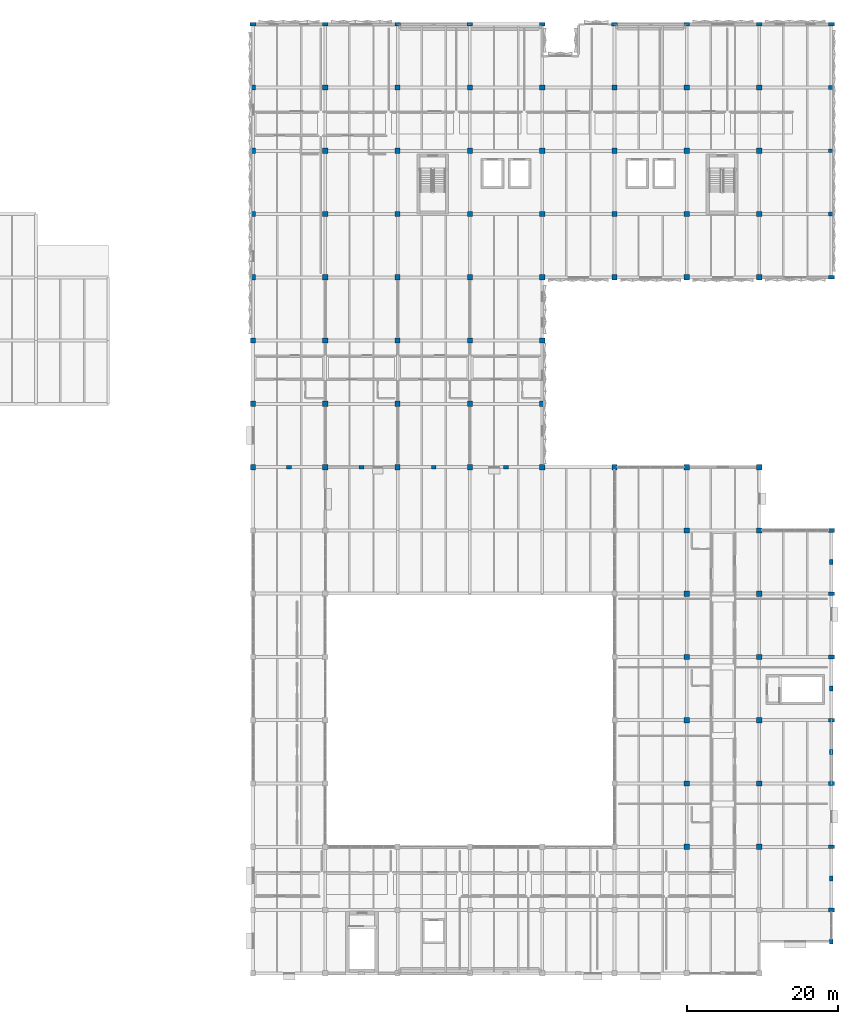
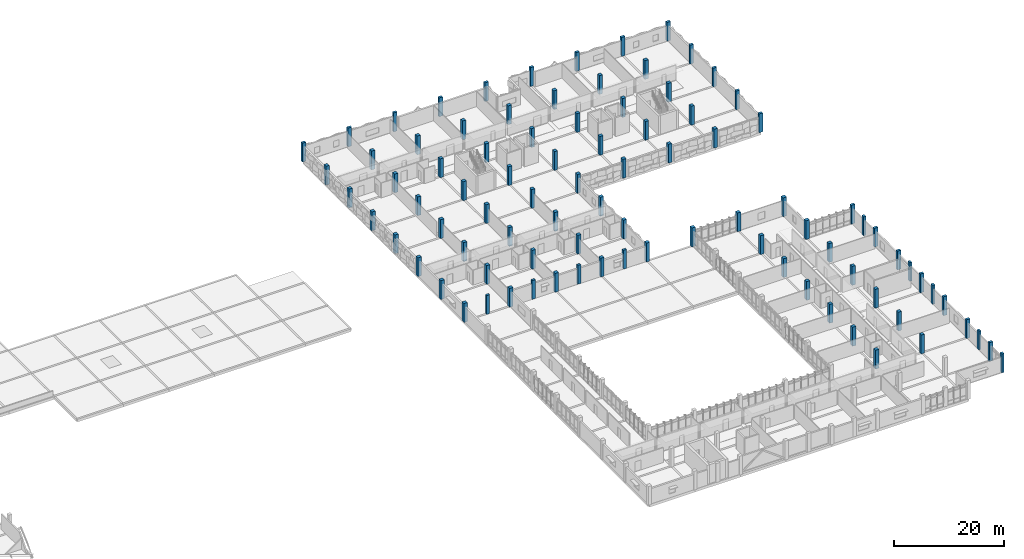
# One storey, part 2 of 57: 91 columns.
"""IFC4 building model written with IfcOpenShell, lengths in metres."""

import ifcopenshell
import ifcopenshell.guid

model = None  # the IFC model being written
_history = None  # IfcOwnerHistory: only IFC2X3 demands one
_inside = {}  # id of a spatial element -> (the spatial element, [elements in it])
_under = {}  # id of a project, library or spatial element -> (it, [spatial elements below it])
_declared = {}  # id of a project -> (the project, [libraries it declares])
_typed = {}  # id of a type object -> (the type object, [elements of that type])
_made_of = {}  # id of a material, layer set ... -> (it, [elements and type objects made of it])


def new_model(schema):
    """Start an empty IFC model of exactly this schema.

    Asked for "IFC4X3", IfcOpenShell would pick the latest addendum, in which some entities
    have other attributes; the version numbers below select the first issue.
    IFC2X3 requires an IfcOwnerHistory on every rooted entity: one is made here for all.
    """
    global model, _history
    if schema == "IFC4X3":
        model = ifcopenshell.file(schema_version=(4, 3, 0, 0))
    else:
        model = ifcopenshell.file(schema=schema)
    _inside.clear()
    _under.clear()
    _declared.clear()
    _typed.clear()
    _made_of.clear()
    _history = None
    if model.schema == "IFC2X3":
        org = make("IfcOrganization", Name="unknown")
        user = make(
            "IfcPersonAndOrganization",
            ThePerson=make("IfcPerson", FamilyName="unknown"),
            TheOrganization=org,
        )
        app = make(
            "IfcApplication",
            ApplicationDeveloper=org,
            Version="unknown",
            ApplicationFullName="unknown",
            ApplicationIdentifier="unknown",
        )
        _history = make(
            "IfcOwnerHistory",
            OwningUser=user,
            OwningApplication=app,
            ChangeAction="ADDED",
            CreationDate=0,
        )
    return model


def make(cls, **values):
    """One entity of the class cls with the attributes given. An attribute that is None is left unset."""
    return model.create_entity(
        cls, **{name: value for name, value in values.items() if value is not None}
    )


def rooted(cls, **values):
    """An entity with a GlobalId (a new one), such as an element, a storey or a relation."""
    return make(cls, GlobalId=ifcopenshell.guid.new(), OwnerHistory=_history, **values)


def si_unit(unit_type, name, prefix=None):
    """IfcSIUnit, for example si_unit("LENGTHUNIT", "METRE", prefix="MILLI")."""
    return make("IfcSIUnit", UnitType=unit_type, Prefix=prefix, Name=name)


def assignment(units):
    """IfcUnitAssignment: the units of a project."""
    return None if units is None else make("IfcUnitAssignment", Units=units)


def point(xyz):
    """IfcCartesianPoint."""
    return None if xyz is None else make("IfcCartesianPoint", Coordinates=xyz)


def direction(xyz):
    """IfcDirection."""
    return None if xyz is None else make("IfcDirection", DirectionRatios=xyz)


def frame(location, z_axis=None, x_axis=None):
    """IfcAxis2Placement3D, a coordinate frame: its origin and axes. An axis left out is left unset."""
    return make(
        "IfcAxis2Placement3D",
        Location=point(location),
        Axis=direction(z_axis),
        RefDirection=direction(x_axis),
    )


def frame_2d(location, x_axis=None):
    """IfcAxis2Placement2D, a coordinate frame in the plane: its origin and x axis."""
    return make(
        "IfcAxis2Placement2D", Location=point(location), RefDirection=direction(x_axis)
    )


def origin():
    """The frame at (0, 0, 0) with its axes left unset."""
    return frame((0.0, 0.0, 0.0))


def origin_2d():
    """The frame at (0, 0) in the plane with its x axis left unset."""
    return frame_2d((0.0, 0.0))


def place(relative_to, where):
    """IfcLocalPlacement: puts the frame where relative to a parent placement (None: the world)."""
    return make(
        "IfcLocalPlacement", PlacementRelTo=relative_to, RelativePlacement=where
    )


def context(
    kind, dimensions, precision=None, world=None, true_north=None, identifier=None
):
    """IfcGeometricRepresentationContext, for example the 3D "Model" context."""
    return make(
        "IfcGeometricRepresentationContext",
        ContextIdentifier=identifier,
        ContextType=kind,
        CoordinateSpaceDimension=dimensions,
        Precision=precision,
        WorldCoordinateSystem=world,
        TrueNorth=true_north,
    )


def subcontext(parent, identifier, kind, view, scale=None):
    """IfcGeometricRepresentationSubContext, for example "Body" below "Model"."""
    return make(
        "IfcGeometricRepresentationSubContext",
        ContextIdentifier=identifier,
        ContextType=kind,
        ParentContext=parent,
        TargetScale=scale,
        TargetView=view,
    )


def project(units=None, contexts=None):
    """IfcProject with its units and contexts."""
    return rooted(
        "IfcProject",
        Name="project",
        RepresentationContexts=contexts,
        UnitsInContext=assignment(units),
    )


def spatial(cls, under=None, at=None, **own):
    """A site, building, storey or space (cls), placed at a placement, below another one or the project."""
    s = rooted(cls, ObjectPlacement=at, **own)
    if under is not None:
        _under.setdefault(under.id(), (under, []))[1].append(s)
    return s


def profile(cls, at=None, kind="AREA", **sizes):
    """A parametric profile (cls). Its sizes go by their IFC names, for example OverallWidth=200.0."""
    return make(cls, ProfileType=kind, Position=at, **sizes)


def rectangle(**sizes):
    """IfcRectangleProfileDef."""
    return profile("IfcRectangleProfileDef", **sizes)


def extrude(swept, where, along, depth):
    """IfcExtrudedAreaSolid: the profile swept, set in the frame where, extruded along a direction by depth."""
    return make(
        "IfcExtrudedAreaSolid",
        SweptArea=swept,
        Position=where,
        ExtrudedDirection=direction(along),
        Depth=depth,
    )


def shape(context_of_items, identifier, shape_type, items):
    """IfcShapeRepresentation: the items that make up one representation, for example the "Body"."""
    return make(
        "IfcShapeRepresentation",
        ContextOfItems=context_of_items,
        RepresentationIdentifier=identifier,
        RepresentationType=shape_type,
        Items=items,
    )


def material(Name=None, Category=None):
    """IfcMaterial."""
    return make("IfcMaterial", Name=Name, Category=Category)


def material_profile(
    of_material, cross_section, Name=None, Category=None, Priority=None
):
    """IfcMaterialProfile: a cross section and its material."""
    return make(
        "IfcMaterialProfile",
        Name=Name,
        Material=of_material,
        Profile=cross_section,
        Priority=Priority,
        Category=Category,
    )


def profile_set(profiles, Name=None, composite=None):
    """IfcMaterialProfileSet."""
    return make(
        "IfcMaterialProfileSet",
        Name=Name,
        MaterialProfiles=profiles,
        CompositeProfile=composite,
    )


def made_of(thing, what):
    """Note that an element or type object is made of a material, layer set ...; save() writes the relation."""
    if what is not None:
        _made_of.setdefault(what.id(), (what, []))[1].append(thing)
    return thing


def type_object(cls, material=None, **own):
    """A type object (cls), such as IfcWallType, which elements share."""
    return made_of(rooted(cls, **own), material)


def element(
    cls,
    number,
    at=None,
    inside=None,
    cuts=None,
    type_object=None,
    material=None,
    context=None,
    identifier="Body",
    shape_type=None,
    held_by="IfcProductDefinitionShape",
    body=None,
    shapes=None,
    **own,
):
    """One element of the class cls, such as IfcWall. Its Tag is "e" and its number.

    at: its placement. inside: the storey or other place that contains it. cuts: it is an
    opening in that element (IfcRelVoidsElement). A single representation is given by context,
    identifier, shape_type and body (its items); several are given by shapes. held_by: the class
    of the entity that holds the representations. save() writes the other relations.
    """
    e = rooted(cls, Tag="e%d" % number, ObjectPlacement=at, **own)
    if body is not None:
        shapes = [shape(context, identifier, shape_type, body)]
    if shapes is not None:
        e.Representation = make(held_by, Representations=shapes)
    if inside is not None:
        _inside.setdefault(inside.id(), (inside, []))[1].append(e)
    if cuts is not None:
        rooted(
            "IfcRelVoidsElement", RelatingBuildingElement=cuts, RelatedOpeningElement=e
        )
    if type_object is not None:
        _typed.setdefault(type_object.id(), (type_object, []))[1].append(e)
    return made_of(e, material)


def aggregate(whole, parts):
    """IfcRelAggregates: a whole, such as a stair, and the parts it consists of."""
    return rooted("IfcRelAggregates", RelatingObject=whole, RelatedObjects=parts)


def save(model, path):
    """Write the relations noted so far, then the file.

    IfcRelAggregates (storeys below a building ...), IfcRelContainedInSpatialStructure (elements
    in a storey), IfcRelDefinesByType, IfcRelAssociatesMaterial and IfcRelDeclares: one each for
    every whole, place, type object, material and project.
    """
    for whole, parts in _under.values():
        aggregate(whole, parts)
    for where, things in _inside.values():
        rooted(
            "IfcRelContainedInSpatialStructure",
            RelatedElements=things,
            RelatingStructure=where,
        )
    for kind, things in _typed.values():
        rooted("IfcRelDefinesByType", RelatedObjects=things, RelatingType=kind)
    for what, things in _made_of.values():
        rooted("IfcRelAssociatesMaterial", RelatedObjects=things, RelatingMaterial=what)
    for by, libraries in _declared.values():
        rooted("IfcRelDeclares", RelatingContext=by, RelatedDefinitions=libraries)
    model.write(path)


model = new_model("IFC4")

# Units and contexts
model_context = context("Model", 3, precision=1e-05, world=origin(), true_north=direction((0.0, 1.0)))
body_context = subcontext(model_context, "Body", "Model", "MODEL_VIEW")
ifc_project = project(units=[si_unit("LENGTHUNIT", "METRE"), si_unit("AREAUNIT", "SQUARE_METRE"), si_unit("VOLUMEUNIT", "CUBIC_METRE"), si_unit("PLANEANGLEUNIT", "RADIAN"), si_unit("MASSUNIT", "GRAM", prefix="KILO")], contexts=[model_context])

# Site, building, storey
site_placement = place(None, origin())
site = spatial("IfcSite", under=ifc_project, at=site_placement, CompositionType="ELEMENT")
building_placement = place(site_placement, origin())
building = spatial("IfcBuilding", under=site, at=building_placement, Name="Oolite Switchyard Hospital", CompositionType="ELEMENT")
storey_placement = place(building_placement, frame((0.0, 0.0, 17.800048828125)))
storey = spatial("IfcBuildingStorey", under=building, at=storey_placement, Name="L04", CompositionType="ELEMENT", Elevation=17.800048828125)

# Columns
ifc_material_1 = material(Name="Concrete C50/60", Category="concrete")
ifc_material_profile_1 = material_profile(ifc_material_1, rectangle(XDim=0.699951171875, YDim=0.699951171875, at=origin_2d()), Name="RC700X700")
ifc_profile_set_1 = profile_set([ifc_material_profile_1], Name="Concrete C50/60")
column_type_1 = type_object("IfcColumnType", Name="COL-RC700", PredefinedType="COLUMN", material=ifc_profile_set_1)
for number, where, z_axis, x_axis, name in (
    (1, (134.39990234375, 75.60009765625, 0.0), (0.0, 0.0, 1.0), (1.0, 0.0, 0.0), "L04 Column 1162"),
    (2, (134.39990234375, 84.0, 0.0), (0.0, 0.0, 1.0), (1.0, 0.0, 0.0), "L04 Column 1163"),
    (3, (134.39990234375, 92.39990234375, 0.0), (0.0, 0.0, 1.0), (1.0, 0.0, 0.0), "L04 Column 1164"),
    (4, (134.39990234375, 100.800048828125, 0.0), (0.0, 0.0, 1.0), (1.0, 0.0, 0.0), "L04 Column 1165"),
    (5, (134.39990234375, 109.199951171875, 0.0), (0.0, 0.0, 1.0), (1.0, 0.0, 0.0), "L04 Column 1166"),
    (6, (134.39990234375, 117.60009765625, 0.0), (0.0, 0.0, 1.0), (1.0, 0.0, 0.0), "L04 Column 1167"),
    (7, (134.39990234375, 126.0, 0.0), (0.0, 0.0, 1.0), (1.0, 0.0, 0.0), "L04 Column 1168"),
    (8, (144.0, 75.60009765625, 0.0), (0.0, 0.0, 1.0), (1.0, 0.0, 0.0), "L04 Column 1178"),
    (9, (144.0, 84.0, 0.0), (0.0, 0.0, 1.0), (1.0, 0.0, 0.0), "L04 Column 1179"),
    (10, (144.0, 92.39990234375, 0.0), (0.0, 0.0, 1.0), (1.0, 0.0, 0.0), "L04 Column 1180"),
    (11, (144.0, 100.800048828125, 0.0), (0.0, 0.0, 1.0), (1.0, 0.0, 0.0), "L04 Column 1181"),
    (12, (144.0, 109.199951171875, 0.0), (0.0, 0.0, 1.0), (1.0, 0.0, 0.0), "L04 Column 1182"),
    (13, (144.0, 117.60009765625, 0.0), (0.0, 0.0, 1.0), (1.0, 0.0, 0.0), "L04 Column 1183"),
    (14, (144.0, 126.0, 0.0), (0.0, 0.0, 1.0), (1.0, 0.0, 0.0), "L04 Column 1184"),
    (15, (153.60009765625, 75.60009765625, 0.0), (0.0, 0.0, 1.0), (1.0, 0.0, 0.0), "L04 Column 1189"),
    (16, (153.60009765625, 84.0, 0.0), (0.0, 0.0, 1.0), (1.0, 0.0, 0.0), "L04 Column 1190"),
    (17, (153.60009765625, 92.39990234375, 0.0), (0.0, 0.0, 1.0), (1.0, 0.0, 0.0), "L04 Column 1191"),
    (18, (153.60009765625, 100.800048828125, 0.0), (0.0, 0.0, 1.0), (1.0, 0.0, 0.0), "L04 Column 1192"),
    (19, (153.60009765625, 109.199951171875, 0.0), (0.0, 0.0, 1.0), (1.0, 0.0, 0.0), "L04 Column 1193"),
    (20, (153.60009765625, 117.60009765625, 0.0), (0.0, 0.0, 1.0), (1.0, 0.0, 0.0), "L04 Column 1194"),
    (21, (153.60009765625, 126.0, 0.0), (0.0, 0.0, 1.0), (1.0, 0.0, 0.0), "L04 Column 1195"),
    (22, (163.199951171875, 75.60009765625, 0.0), (0.0, 0.0, 1.0), (1.0, 0.0, 0.0), "L04 Column 1200"),
    (23, (163.199951171875, 84.0, 0.0), (0.0, 0.0, 1.0), (1.0, 0.0, 0.0), "L04 Column 1201"),
    (24, (163.199951171875, 92.39990234375, 0.0), (0.0, 0.0, 1.0), (1.0, 0.0, 0.0), "L04 Column 1202"),
    (25, (163.199951171875, 100.800048828125, 0.0), (0.0, 0.0, 1.0), (1.0, 0.0, 0.0), "L04 Column 1203"),
    (26, (163.199951171875, 109.199951171875, 0.0), (0.0, 0.0, 1.0), (1.0, 0.0, 0.0), "L04 Column 1204"),
    (27, (163.199951171875, 117.60009765625, 0.0), (0.0, 0.0, 1.0), (1.0, 0.0, 0.0), "L04 Column 1205"),
    (28, (163.199951171875, 126.0, 0.0), (0.0, 0.0, 1.0), (1.0, 0.0, 0.0), "L04 Column 1206"),
    (29, (172.800048828125, 75.60009765625, 0.0), (0.0, 0.0, 1.0), (1.0, 0.0, 0.0), "L04 Column 1211"),
    (30, (172.800048828125, 84.0, 0.0), (0.0, 0.0, 1.0), (1.0, 0.0, 0.0), "L04 Column 1212"),
    (31, (172.800048828125, 92.39990234375, 0.0), (0.0, 0.0, 1.0), (1.0, 0.0, 0.0), "L04 Column 1213"),
    (32, (172.800048828125, 100.800048828125, 0.0), (0.0, 0.0, 1.0), (1.0, 0.0, 0.0), "L04 Column 1214"),
    (33, (172.800048828125, 109.199951171875, 0.0), (0.0, 0.0, 1.0), (1.0, 0.0, 0.0), "L04 Column 1215"),
    (34, (172.800048828125, 117.60009765625, 0.0), (0.0, 0.0, 1.0), (1.0, 0.0, 0.0), "L04 Column 1216"),
    (35, (172.800048828125, 126.0, 0.0), (0.0, 0.0, 1.0), (1.0, 0.0, 0.0), "L04 Column 1217"),
    (36, (182.39990234375, 75.60009765625, 0.0), (0.0, 0.0, 1.0), (1.0, 0.0, 0.0), "L04 Column 1227"),
    (37, (182.39990234375, 100.800048828125, 0.0), (0.0, 0.0, 1.0), (1.0, 0.0, 0.0), "L04 Column 1228"),
    (38, (182.39990234375, 109.199951171875, 0.0), (0.0, 0.0, 1.0), (1.0, 0.0, 0.0), "L04 Column 1229"),
    (39, (182.39990234375, 117.60009765625, 0.0), (0.0, 0.0, 1.0), (1.0, 0.0, 0.0), "L04 Column 1230"),
    (40, (182.39990234375, 126.0, 0.0), (0.0, 0.0, 1.0), (1.0, 0.0, 0.0), "L04 Column 1231"),
    (41, (192.0, 25.199951171875, 0.0), (0.0, 0.0, 1.0), (1.0, 0.0, 0.0), "L04 Column 1235"),
    (42, (192.0, 33.60009765625, 0.0), (0.0, 0.0, 1.0), (1.0, 0.0, 0.0), "L04 Column 1236"),
    (43, (192.0, 42.0, 0.0), (0.0, 0.0, 1.0), (1.0, 0.0, 0.0), "L04 Column 1237"),
    (44, (192.0, 50.39990234375, 0.0), (0.0, 0.0, 1.0), (1.0, 0.0, 0.0), "L04 Column 1238"),
    (45, (192.0, 58.800048828125, 0.0), (0.0, 0.0, 1.0), (1.0, 0.0, 0.0), "L04 Column 1239"),
    (46, (192.0, 67.199951171875, 0.0), (0.0, 0.0, 1.0), (1.0, 0.0, 0.0), "L04 Column 1240"),
    (47, (192.0, 75.60009765625, 0.0), (0.0, 0.0, 1.0), (1.0, 0.0, 0.0), "L04 Column 1241"),
    (48, (192.0, 100.800048828125, 0.0), (0.0, 0.0, 1.0), (1.0, 0.0, 0.0), "L04 Column 1242"),
    (49, (192.0, 109.199951171875, 0.0), (0.0, 0.0, 1.0), (1.0, 0.0, 0.0), "L04 Column 1243"),
    (50, (192.0, 117.60009765625, 0.0), (0.0, 0.0, 1.0), (1.0, 0.0, 0.0), "L04 Column 1244"),
    (51, (192.0, 126.0, 0.0), (0.0, 0.0, 1.0), (1.0, 0.0, 0.0), "L04 Column 1245"),
    (52, (201.60009765625, 25.199951171875, 0.0), (0.0, 0.0, 1.0), (1.0, 0.0, 0.0), "L04 Column 1249"),
    (53, (201.60009765625, 33.60009765625, 0.0), (0.0, 0.0, 1.0), (1.0, 0.0, 0.0), "L04 Column 1250"),
    (54, (201.60009765625, 42.0, 0.0), (0.0, 0.0, 1.0), (1.0, 0.0, 0.0), "L04 Column 1251"),
    (55, (201.60009765625, 50.39990234375, 0.0), (0.0, 0.0, 1.0), (1.0, 0.0, 0.0), "L04 Column 1252"),
    (56, (201.60009765625, 58.800048828125, 0.0), (0.0, 0.0, 1.0), (1.0, 0.0, 0.0), "L04 Column 1253"),
    (57, (201.60009765625, 67.199951171875, 0.0), (0.0, 0.0, 1.0), (1.0, 0.0, 0.0), "L04 Column 1254"),
    (58, (201.60009765625, 75.60009765625, 0.0), (0.0, 0.0, 1.0), (1.0, 0.0, 0.0), "L04 Column 1255"),
    (59, (201.60009765625, 100.800048828125, 0.0), (0.0, 0.0, 1.0), (1.0, 0.0, 0.0), "L04 Column 1256"),
    (60, (201.60009765625, 109.199951171875, 0.0), (0.0, 0.0, 1.0), (1.0, 0.0, 0.0), "L04 Column 1257"),
    (61, (201.60009765625, 117.60009765625, 0.0), (0.0, 0.0, 1.0), (1.0, 0.0, 0.0), "L04 Column 1258"),
    (62, (201.60009765625, 126.0, 0.0), (0.0, 0.0, 1.0), (1.0, 0.0, 0.0), "L04 Column 1259"),
):
    element("IfcColumn", number, at=place(storey_placement, frame(where, z_axis=z_axis, x_axis=x_axis)), inside=storey, type_object=column_type_1, Name=name, PredefinedType="COLUMN", context=body_context, shape_type="SweptSolid", body=[
        extrude(rectangle(XDim=0.699951171875, YDim=0.699951171875, at=origin_2d()), origin(), (0.0, 0.0, 1.0), 4.199951171875),
    ])
ifc_material_profile_2 = material_profile(ifc_material_1, rectangle(XDim=0.75, YDim=0.5, at=origin_2d()), Name="RC750X500")
ifc_profile_set_2 = profile_set([ifc_material_profile_2], Name="Concrete C50/60")
column_type_2 = type_object("IfcColumnType", Name="COL-RCR750", PredefinedType="COLUMN", material=ifc_profile_set_2)
for number, where, z_axis, x_axis, name in (
    (63, (134.39990234375, 134.39990234375, 0.0), (0.0, 0.0, 1.0), (1.0, 0.0, 0.0), "L04 Column 1169"),
    (64, (144.0, 134.39990234375, 0.0), (0.0, 0.0, 1.0), (1.0, 0.0, 0.0), "L04 Column 1185"),
    (65, (153.60009765625, 134.39990234375, 0.0), (0.0, 0.0, 1.0), (1.0, 0.0, 0.0), "L04 Column 1196"),
    (66, (163.199951171875, 134.39990234375, 0.0), (0.0, 0.0, 1.0), (1.0, 0.0, 0.0), "L04 Column 1207"),
    (67, (172.800048828125, 134.39990234375, 0.0), (0.0, 0.0, 1.0), (1.0, 0.0, 0.0), "L04 Column 1218"),
    (68, (182.39990234375, 134.39990234375, 0.0), (0.0, 0.0, 1.0), (1.0, 0.0, 0.0), "L04 Column 1232"),
    (69, (192.0, 134.39990234375, 0.0), (0.0, 0.0, 1.0), (1.0, 0.0, 0.0), "L04 Column 1246"),
    (70, (201.60009765625, 134.39990234375, 0.0), (0.0, 0.0, 1.0), (1.0, 0.0, 0.0), "L04 Column 1260"),
    (71, (211.199951171875, 16.800048828125, 0.0), (0.0, 0.0, 1.0), (1.0, 0.0, 0.0), "L04 Column 1261"),
    (72, (211.199951171875, 25.199951171875, 0.0), (0.0, 0.0, 1.0), (1.0, 0.0, 0.0), "L04 Column 1262"),
    (73, (211.199951171875, 33.60009765625, 0.0), (0.0, 0.0, 1.0), (1.0, 0.0, 0.0), "L04 Column 1263"),
    (74, (211.199951171875, 42.0, 0.0), (0.0, 0.0, 1.0), (1.0, 0.0, 0.0), "L04 Column 1264"),
    (75, (211.199951171875, 50.39990234375, 0.0), (0.0, 0.0, 1.0), (1.0, 0.0, 0.0), "L04 Column 1265"),
    (76, (211.199951171875, 58.800048828125, 0.0), (0.0, 0.0, 1.0), (1.0, 0.0, 0.0), "L04 Column 1266"),
    (77, (211.199951171875, 67.199951171875, 0.0), (0.0, 0.0, 1.0), (1.0, 0.0, 0.0), "L04 Column 1267"),
    (78, (211.199951171875, 100.800048828125, 0.0), (0.0, 0.0, 1.0), (1.0, 0.0, 0.0), "L04 Column 1268"),
    (79, (211.199951171875, 109.199951171875, 0.0), (0.0, 0.0, 1.0), (1.0, 0.0, 0.0), "L04 Column 1269"),
    (80, (211.199951171875, 117.60009765625, 0.0), (0.0, 0.0, 1.0), (1.0, 0.0, 0.0), "L04 Column 1270"),
    (81, (211.199951171875, 126.0, 0.0), (0.0, 0.0, 1.0), (1.0, 0.0, 0.0), "L04 Column 1271"),
    (82, (211.199951171875, 134.39990234375, 0.0), (0.0, 0.0, 1.0), (1.0, 0.0, 0.0), "L04 Column 1272"),
):
    element("IfcColumn", number, at=place(storey_placement, frame(where, z_axis=z_axis, x_axis=x_axis)), inside=storey, type_object=column_type_2, Name=name, PredefinedType="COLUMN", context=body_context, shape_type="SweptSolid", body=[
        extrude(rectangle(XDim=0.75, YDim=0.5, at=origin_2d()), origin(), (0.0, 0.0, 1.0), 4.199951171875),
    ])
ifc_material_2 = material(Name="Precast concrete C40/50", Category="concrete")
ifc_material_profile_3 = material_profile(ifc_material_2, rectangle(XDim=0.449951171875, YDim=0.64990234375, at=origin_2d()), Name="PIL450X650")
ifc_profile_set_3 = profile_set([ifc_material_profile_3], Name="Precast concrete C40/50")
column_type_3 = type_object("IfcColumnType", Name="PIL-450X650", PredefinedType="PILASTER", material=ifc_profile_set_3)
for number, where, z_axis, x_axis, name in (
    (83, (211.199951171875, 12.60009765625, 0.0), (0.0, 0.0, 1.0), (1.0, 0.0, 0.0), "L04 Classical Pilaster 63"),
    (84, (211.199951171875, 21.0, 0.0), (0.0, 0.0, 1.0), (1.0, 0.0, 0.0), "L04 Classical Pilaster 64"),
    (85, (211.199951171875, 37.800048828125, 0.0), (0.0, 0.0, 1.0), (1.0, 0.0, 0.0), "L04 Classical Pilaster 65"),
    (86, (211.199951171875, 46.199951171875, 0.0), (0.0, 0.0, 1.0), (1.0, 0.0, 0.0), "L04 Classical Pilaster 66"),
    (87, (211.199951171875, 63.0, 0.0), (0.0, 0.0, 1.0), (1.0, 0.0, 0.0), "L04 Classical Pilaster 67"),
):
    element("IfcColumn", number, at=place(storey_placement, frame(where, z_axis=z_axis, x_axis=x_axis)), inside=storey, type_object=column_type_3, Name=name, PredefinedType="PILASTER", context=body_context, shape_type="SweptSolid", body=[
        extrude(rectangle(XDim=0.449951171875, YDim=0.64990234375, at=origin_2d()), origin(), (0.0, 0.0, 1.0), 4.199951171875),
    ])
ifc_material_profile_4 = material_profile(ifc_material_2, rectangle(XDim=0.64990234375, YDim=0.449951171875, at=origin_2d()), Name="PIL650X450")
ifc_profile_set_4 = profile_set([ifc_material_profile_4], Name="Precast concrete C40/50")
column_type_4 = type_object("IfcColumnType", Name="PIL-650X450", PredefinedType="PILASTER", material=ifc_profile_set_4)
for number, where, z_axis, x_axis, name in (
    (88, (139.199951171875, 75.60009765625, 0.0), (0.0, 0.0, 1.0), (1.0, 0.0, 0.0), "L04 Classical Pilaster 68"),
    (89, (148.800048828125, 75.60009765625, 0.0), (0.0, 0.0, 1.0), (1.0, 0.0, 0.0), "L04 Classical Pilaster 69"),
    (90, (158.39990234375, 75.60009765625, 0.0), (0.0, 0.0, 1.0), (1.0, 0.0, 0.0), "L04 Classical Pilaster 70"),
    (91, (168.0, 75.60009765625, 0.0), (0.0, 0.0, 1.0), (1.0, 0.0, 0.0), "L04 Classical Pilaster 71"),
):
    element("IfcColumn", number, at=place(storey_placement, frame(where, z_axis=z_axis, x_axis=x_axis)), inside=storey, type_object=column_type_4, Name=name, PredefinedType="PILASTER", context=body_context, shape_type="SweptSolid", body=[
        extrude(rectangle(XDim=0.64990234375, YDim=0.449951171875, at=origin_2d()), origin(), (0.0, 0.0, 1.0), 4.199951171875),
    ])

save(model, "model.ifc")
